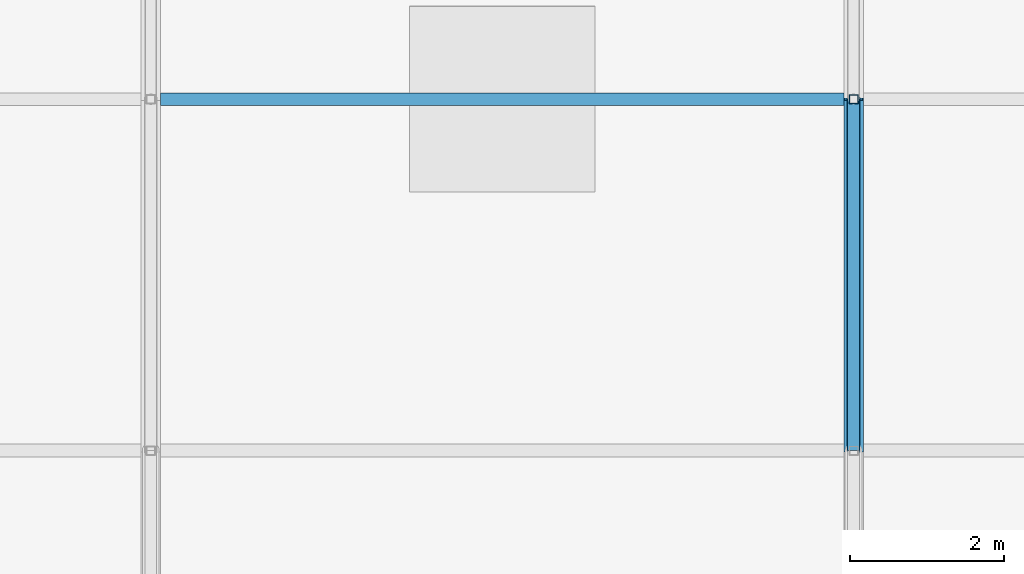
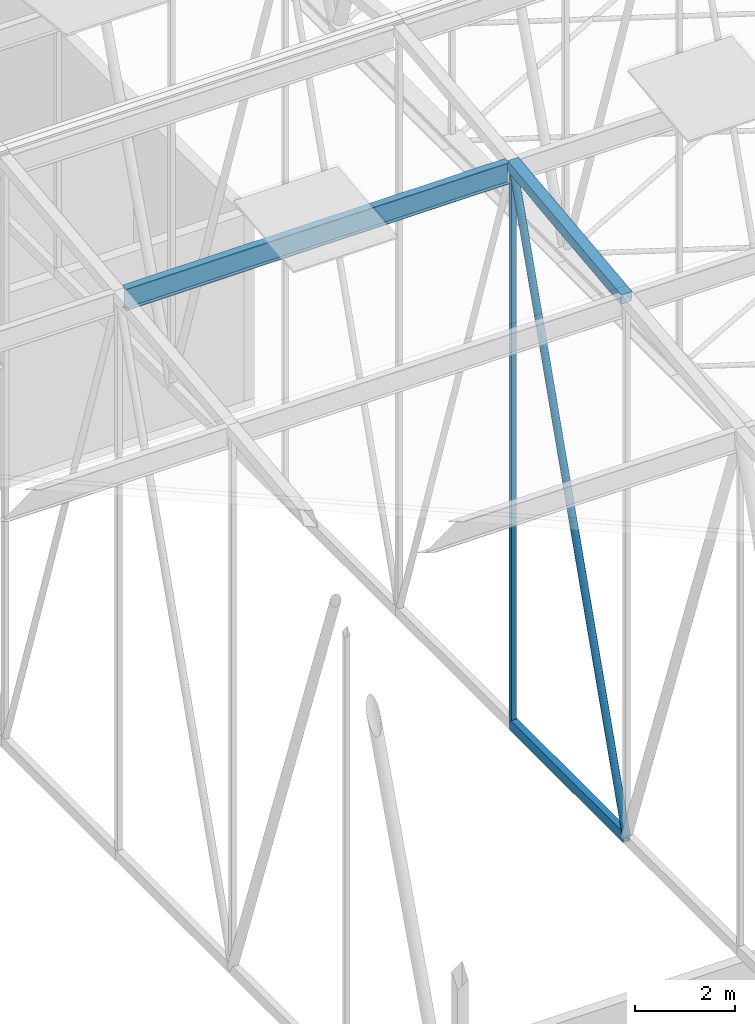
# One storey, part 86 of 500: 5 members.
"""IFC4 building model written with IfcOpenShell, lengths in metres."""

from ifc_helpers import new_model, si_unit, direction, frame, origin, origin_2d, place, context, subcontext, project, spatial, hollow_rectangle, hollow_circle, i_section, extrude, material, material_profile, profile_set, type_object, element, save


model = new_model("IFC4")

# Units and contexts
model_context = context("Model", 3, precision=1e-05, world=origin(), true_north=direction((0.0, 1.0)))
body_context = subcontext(model_context, "Body", "Model", "MODEL_VIEW")
ifc_project = project(units=[si_unit("LENGTHUNIT", "METRE"), si_unit("AREAUNIT", "SQUARE_METRE"), si_unit("VOLUMEUNIT", "CUBIC_METRE"), si_unit("PLANEANGLEUNIT", "RADIAN"), si_unit("MASSUNIT", "GRAM", prefix="KILO")], contexts=[model_context])

# Site, building, storey
site_placement = place(None, origin())
site = spatial("IfcSite", under=ifc_project, at=site_placement, CompositionType="ELEMENT")
building_placement = place(site_placement, origin())
building = spatial("IfcBuilding", under=site, at=building_placement, Name="Shirokan Park Arena", CompositionType="ELEMENT")
storey_placement = place(building_placement, frame((0.0, 0.0, 29.1201171875)))
storey = spatial("IfcBuildingStorey", under=building, at=storey_placement, Name="L06", CompositionType="ELEMENT", Elevation=29.1201171875)

# Members
ifc_material_1 = material(Name="Steel ASTM A500 Grade C", Category="steel")
ifc_material_profile_1 = material_profile(ifc_material_1, hollow_rectangle(XDim=0.152099609375, YDim=0.25390625, WallThickness=0.009521484375, at=origin_2d()), Name="HSS254X152.4X9.5")
ifc_profile_set_1 = profile_set([ifc_material_profile_1], Name="Steel ASTM A500 Grade C")
member_type_1 = type_object("IfcMemberType", Name="Bottom chord HSS254X152.4X9.5", PredefinedType="CHORD", material=ifc_profile_set_1)
member_1_placement = place(storey_placement, frame((36.39990234375, 45.5, 4.677001953125), z_axis=(0.0, 1.0, 0.0), x_axis=(-1.0, 0.0, 0.0)))
element("IfcMember", 1, at=member_1_placement, inside=storey, type_object=member_type_1, Name="Truss T05 bottom chord 13", PredefinedType="CHORD", context=body_context, shape_type="SweptSolid", body=[
    extrude(hollow_rectangle(XDim=0.152099609375, YDim=0.25390625, WallThickness=0.009521484375, at=origin_2d()), origin(), (0.0, 0.0, 1.0), 4.550048828125),
])
ifc_material_2 = material(Name="Steel ASTM A992", Category="steel")
ifc_material_profile_2 = material_profile(ifc_material_2, i_section(OverallWidth=0.166015625, OverallDepth=0.528076171875, WebThickness=0.009765625, FlangeThickness=0.013671875, at=origin_2d()), Name="W530X74")
ifc_profile_set_2 = profile_set([ifc_material_profile_2], Name="Steel ASTM A992")
member_type_2 = type_object("IfcMemberType", Name="Purlin W530X74", PredefinedType="PURLIN", material=ifc_profile_set_2)
member_2_placement = place(storey_placement, frame((27.427001953125, 50.050048828125, 18.205810546875), z_axis=(1.0, 0.0, 0.0), x_axis=(0.0, 1.0, 0.0)))
element("IfcMember", 2, at=member_2_placement, inside=storey, type_object=member_type_2, Name="Purlin 14 bay 4", PredefinedType="PURLIN", context=body_context, shape_type="SweptSolid", body=[
    extrude(i_section(OverallWidth=0.166015625, OverallDepth=0.528076171875, WebThickness=0.009765625, FlangeThickness=0.013671875, at=origin_2d()), origin(), (0.0, 0.0, 1.0), 8.845947265625),
])
ifc_material_profile_3 = material_profile(ifc_material_1, hollow_rectangle(XDim=0.25390625, YDim=0.25390625, WallThickness=0.009521484375, at=origin_2d()), Name="HSS254X254X9.5")
ifc_profile_set_3 = profile_set([ifc_material_profile_3], Name="Steel ASTM A500 Grade C")
member_type_3 = type_object("IfcMemberType", Name="Top chord HSS254X254X9.5", PredefinedType="CHORD", material=ifc_profile_set_3)
member_3_placement = place(storey_placement, frame((36.39990234375, 45.5, 17.822998046875), z_axis=(0.0, 0.993538341779, 0.113496975353), x_axis=(-1.0, 0.0, 0.0)))
element("IfcMember", 3, at=member_3_placement, inside=storey, type_object=member_type_3, Name="Truss T05 top chord 13", PredefinedType="CHORD", context=body_context, shape_type="SweptSolid", body=[
    extrude(hollow_rectangle(XDim=0.25390625, YDim=0.25390625, WallThickness=0.009521484375, at=origin_2d()), origin(), (0.0, 0.0, 1.0), 4.57958984375),
])
ifc_material_profile_4 = material_profile(ifc_material_1, hollow_circle(Radius=0.083984375, WallThickness=0.009521484375, at=origin_2d()), Name="HSS168.3X9.5")
ifc_profile_set_4 = profile_set([ifc_material_profile_4], Name="Steel ASTM A500 Grade C")
member_type_4 = type_object("IfcMemberType", Name="Truss diagonal HSS168.3X9.5", PredefinedType="BRACE", material=ifc_profile_set_4)
member_4_placement = place(storey_placement, frame((36.39990234375, 45.5, 4.677001953125), z_axis=(0.0, 0.315902302102, 0.948791723998), x_axis=(-1.0, 0.0, 0.0)))
element("IfcMember", 4, at=member_4_placement, inside=storey, type_object=member_type_4, Name="Truss T05 diagonal 13", PredefinedType="BRACE", context=body_context, shape_type="SweptSolid", body=[
    extrude(hollow_circle(Radius=0.083984375, WallThickness=0.009521484375, at=origin_2d()), origin(), (0.0, 0.0, 1.0), 14.4033203125),
])
ifc_material_profile_5 = material_profile(ifc_material_1, hollow_rectangle(XDim=0.114013671875, YDim=0.114013671875, WallThickness=0.00634765625, at=origin_2d()), Name="HSS114.3X114.3X6.4")
ifc_profile_set_5 = profile_set([ifc_material_profile_5], Name="Steel ASTM A500 Grade C")
member_type_5 = type_object("IfcMemberType", Name="Truss post HSS114.3X114.3X6.4", PredefinedType="POST", material=ifc_profile_set_5)
member_5_placement = place(storey_placement, frame((36.39990234375, 50.050048828125, 4.677001953125), z_axis=(0.0, 0.0, 1.0), x_axis=(1.0, 0.0, 0.0)))
element("IfcMember", 5, at=member_5_placement, inside=storey, type_object=member_type_5, Name="Truss T05 post 14", PredefinedType="POST", context=body_context, shape_type="SweptSolid", body=[
    extrude(hollow_rectangle(XDim=0.114013671875, YDim=0.114013671875, WallThickness=0.00634765625, at=origin_2d()), origin(), (0.0, 0.0, 1.0), 13.665771484375),
])

save(model, "model.ifc")
